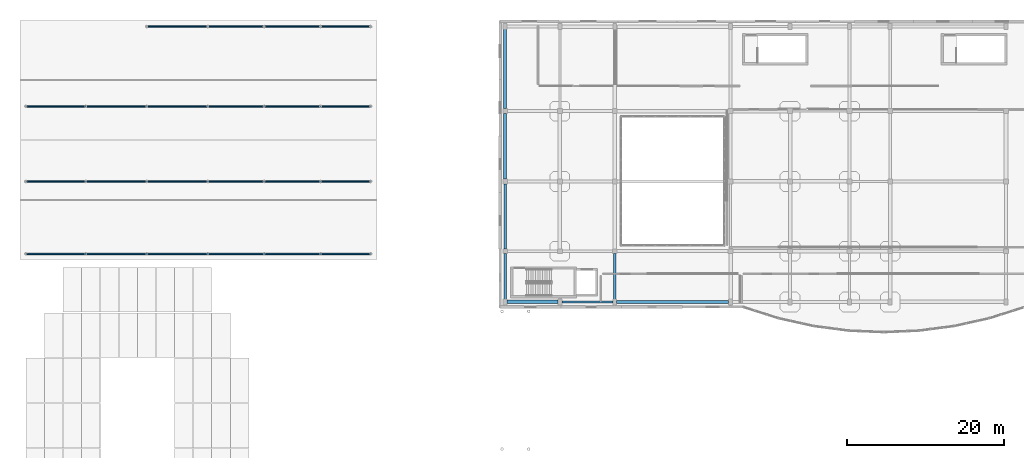
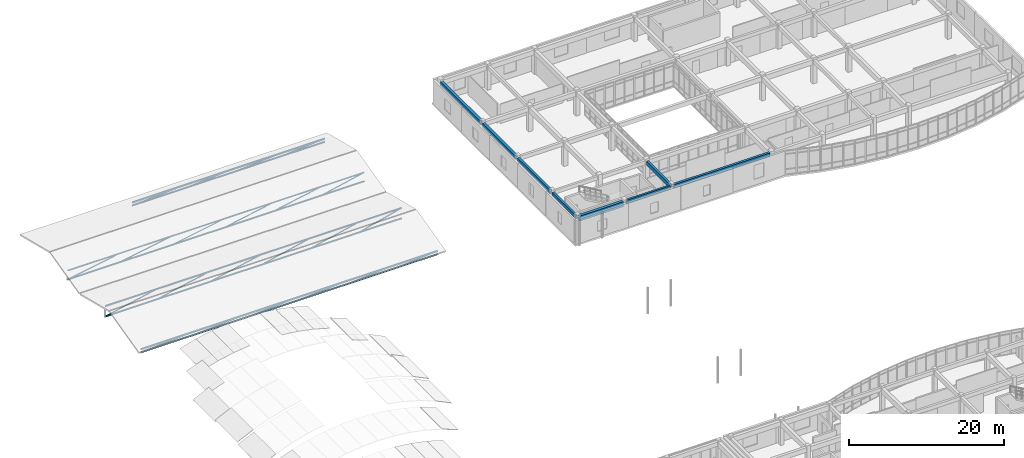
# One storey, part 42 of 91: 66 members, 8 beams.
"""IFC4 building model written with IfcOpenShell, lengths in metres."""

from ifc_helpers import new_model, si_unit, direction, frame, origin, origin_2d, place, context, subcontext, project, spatial, rectangle, hollow_rectangle, hollow_circle, extrude, material, material_profile, profile_set, type_object, element, save


model = new_model("IFC4")

# Units and contexts
model_context = context("Model", 3, precision=1e-05, world=origin(), true_north=direction((0.0, 1.0)))
body_context = subcontext(model_context, "Body", "Model", "MODEL_VIEW")
ifc_project = project(units=[si_unit("LENGTHUNIT", "METRE"), si_unit("AREAUNIT", "SQUARE_METRE"), si_unit("VOLUMEUNIT", "CUBIC_METRE"), si_unit("PLANEANGLEUNIT", "RADIAN"), si_unit("MASSUNIT", "GRAM", prefix="KILO")], contexts=[model_context])

# Site, building, storey
site_placement = place(None, origin())
site = spatial("IfcSite", under=ifc_project, at=site_placement, CompositionType="ELEMENT")
building_placement = place(site_placement, origin())
building = spatial("IfcBuilding", under=site, at=building_placement, Name="Valcora Specialist Clinic", CompositionType="ELEMENT")
storey_placement = place(building_placement, frame((0.0, 0.0, 13.60009765625)))
storey = spatial("IfcBuildingStorey", under=building, at=storey_placement, Name="L03", CompositionType="ELEMENT", Elevation=13.60009765625)

# Beams
ifc_material_1 = material(Name="Concrete C40/50", Category="concrete")
ifc_material_profile_1 = material_profile(ifc_material_1, rectangle(XDim=0.300048828125, YDim=0.550048828125, at=origin_2d()), Name="RC-BM-300X550")
ifc_profile_set_1 = profile_set([ifc_material_profile_1], Name="Concrete C40/50")
beam_type_1 = type_object("IfcBeamType", Name="TY-BM-RC300X550", PredefinedType="BEAM", material=ifc_profile_set_1)
beam_1_placement = place(storey_placement, frame((69.25, 74.800048828125, 3.5), z_axis=(1.0, 0.0, 0.0), x_axis=(0.0, 1.0, 0.0)))
element("IfcBeam", 1, at=beam_1_placement, inside=storey, type_object=beam_type_1, Name="Beam BM-L03-0769", PredefinedType="BEAM", context=body_context, shape_type="SweptSolid", body=[
    extrude(rectangle(XDim=0.300048828125, YDim=0.550048828125, at=origin_2d()), origin(), (0.0, 0.0, 1.0), 6.5),
])
beam_2_placement = place(storey_placement, frame((62.0, 75.050048828125, 3.5), z_axis=(0.0, 1.0, 0.0), x_axis=(-1.0, 0.0, 0.0)))
element("IfcBeam", 2, at=beam_2_placement, inside=storey, type_object=beam_type_1, Name="Beam BM-L03-0803", PredefinedType="BEAM", context=body_context, shape_type="SweptSolid", body=[
    extrude(rectangle(XDim=0.300048828125, YDim=0.550048828125, at=origin_2d()), origin(), (0.0, 0.0, 1.0), 5.949951171875),
])
ifc_material_profile_2 = material_profile(ifc_material_1, rectangle(XDim=0.35009765625, YDim=0.60009765625, at=origin_2d()), Name="RC-BM-350X600")
ifc_profile_set_2 = profile_set([ifc_material_profile_2], Name="Concrete C40/50")
beam_type_2 = type_object("IfcBeamType", Name="TY-BM-RC350X600", PredefinedType="BEAM", material=ifc_profile_set_2)
beam_3_placement = place(storey_placement, frame((76.25, 74.800048828125, 3.474853515625), z_axis=(1.0, 0.0, 0.0), x_axis=(0.0, 1.0, 0.0)))
element("IfcBeam", 3, at=beam_3_placement, inside=storey, type_object=beam_type_2, Name="Beam BM-L03-0770", PredefinedType="BEAM", context=body_context, shape_type="SweptSolid", body=[
    extrude(rectangle(XDim=0.35009765625, YDim=0.60009765625, at=origin_2d()), origin(), (0.0, 0.0, 1.0), 14.300048828125),
])
beam_4_placement = place(storey_placement, frame((62.0, 81.60009765625, 3.474853515625), z_axis=(0.0, 1.0, 0.0), x_axis=(-1.0, 0.0, 0.0)))
element("IfcBeam", 4, at=beam_4_placement, inside=storey, type_object=beam_type_2, Name="Beam BM-L03-0804", PredefinedType="BEAM", context=body_context, shape_type="SweptSolid", body=[
    extrude(rectangle(XDim=0.35009765625, YDim=0.60009765625, at=origin_2d()), origin(), (0.0, 0.0, 1.0), 8.2998046875),
])
beam_5_placement = place(storey_placement, frame((76.0, 75.050048828125, 3.474853515625), z_axis=(0.0, 1.0, 0.0), x_axis=(-1.0, 0.0, 0.0)))
element("IfcBeam", 5, at=beam_5_placement, inside=storey, type_object=beam_type_2, Name="Beam BM-L03-0810", PredefinedType="BEAM", context=body_context, shape_type="SweptSolid", body=[
    extrude(rectangle(XDim=0.35009765625, YDim=0.60009765625, at=origin_2d()), origin(), (0.0, 0.0, 1.0), 5.949951171875),
])
ifc_material_profile_3 = material_profile(ifc_material_1, rectangle(XDim=0.39990234375, YDim=0.64990234375, at=origin_2d()), Name="RC-BM-400X650")
ifc_profile_set_3 = profile_set([ifc_material_profile_3], Name="Concrete C40/50")
beam_type_3 = type_object("IfcBeamType", Name="TY-BM-RC400X650", PredefinedType="BEAM", material=ifc_profile_set_3)
beam_6_placement = place(storey_placement, frame((62.0, 90.5, 3.449951171875), z_axis=(0.0, 1.0, 0.0), x_axis=(-1.0, 0.0, 0.0)))
element("IfcBeam", 6, at=beam_6_placement, inside=storey, type_object=beam_type_3, Name="Beam BM-L03-0805", PredefinedType="BEAM", context=body_context, shape_type="SweptSolid", body=[
    extrude(rectangle(XDim=0.39990234375, YDim=0.64990234375, at=origin_2d()), origin(), (0.0, 0.0, 1.0), 8.39990234375),
])
ifc_material_profile_4 = material_profile(ifc_material_1, rectangle(XDim=0.39990234375, YDim=0.699951171875, at=origin_2d()), Name="RC-BM-400X700")
ifc_profile_set_4 = profile_set([ifc_material_profile_4], Name="Concrete C40/50")
beam_type_4 = type_object("IfcBeamType", Name="TY-BM-RC400X700", PredefinedType="BEAM", material=ifc_profile_set_4)
beam_7_placement = place(storey_placement, frame((62.0, 99.5, 3.4248046875), z_axis=(0.0, 1.0, 0.0), x_axis=(-1.0, 0.0, 0.0)))
element("IfcBeam", 7, at=beam_7_placement, inside=storey, type_object=beam_type_4, Name="Beam BM-L03-0806", PredefinedType="BEAM", context=body_context, shape_type="SweptSolid", body=[
    extrude(rectangle(XDim=0.39990234375, YDim=0.699951171875, at=origin_2d()), origin(), (0.0, 0.0, 1.0), 10.25),
])
ifc_material_profile_5 = material_profile(ifc_material_1, rectangle(XDim=0.449951171875, YDim=0.800048828125, at=origin_2d()), Name="RC-BM-450X800")
ifc_profile_set_5 = profile_set([ifc_material_profile_5], Name="Concrete C40/50")
beam_type_5 = type_object("IfcBeamType", Name="TY-BM-RC450X800", PredefinedType="BEAM", material=ifc_profile_set_5)
beam_8_placement = place(storey_placement, frame((62.25, 74.800048828125, 3.375), z_axis=(1.0, 0.0, 0.0), x_axis=(0.0, 1.0, 0.0)))
element("IfcBeam", 8, at=beam_8_placement, inside=storey, type_object=beam_type_5, Name="Beam BM-L03-0768", PredefinedType="BEAM", context=body_context, shape_type="SweptSolid", body=[
    extrude(rectangle(XDim=0.449951171875, YDim=0.800048828125, at=origin_2d()), origin(), (0.0, 0.0, 1.0), 6.5),
])

# Members
ifc_material_2 = material(Name="Steel ASTM A500 Grade C", Category="steel")
ifc_material_profile_6 = material_profile(ifc_material_2, hollow_circle(Radius=0.1220703125, WallThickness=0.010009765625, at=origin_2d()), Name="ST-CHS-244X10")
ifc_profile_set_6 = profile_set([ifc_material_profile_6], Name="Steel ASTM A500 Grade C")
member_type_1 = type_object("IfcMemberType", Name="TY-MB-GSC244", PredefinedType="CHORD", material=ifc_profile_set_6)
member_1_placement = place(storey_placement, frame((0.75, 80.949951171875, 0.079833984375), z_axis=(1.0, 0.0, 0.0), x_axis=(0.0, 1.0, 0.0)))
element("IfcMember", 9, at=member_1_placement, inside=storey, type_object=member_type_1, Name="Folded roof tie chord MB-L03-0696", PredefinedType="CHORD", context=body_context, shape_type="SweptSolid", body=[
    extrude(hollow_circle(Radius=0.1220703125, WallThickness=0.010009765625, at=origin_2d()), origin(), (0.0, 0.0, 1.0), 7.64990234375),
])
for number, where, z_axis, x_axis, name in (
    (10, (8.39990234375, 80.949951171875, 0.079833984375), (1.0, 0.0, 0.0), (0.0, 1.0, 0.0), "Folded roof tie chord MB-L03-0699"),
    (11, (16.199951171875, 80.949951171875, 0.079833984375), (1.0, 0.0, 0.0), (0.0, 1.0, 0.0), "Folded roof tie chord MB-L03-0702"),
):
    element("IfcMember", number, at=place(storey_placement, frame(where, z_axis=z_axis, x_axis=x_axis)), inside=storey, type_object=member_type_1, Name=name, PredefinedType="CHORD", context=body_context, shape_type="SweptSolid", body=[
        extrude(hollow_circle(Radius=0.1220703125, WallThickness=0.010009765625, at=origin_2d()), origin(), (0.0, 0.0, 1.0), 7.800048828125),
    ])
for number, where, z_axis, x_axis, name in (
    (12, (24.0, 80.949951171875, 0.079833984375), (1.0, 0.0, 0.0), (0.0, 1.0, 0.0), "Folded roof tie chord MB-L03-0705"),
    (13, (31.199951171875, 80.949951171875, 0.079833984375), (1.0, 0.0, 0.0), (0.0, 1.0, 0.0), "Folded roof tie chord MB-L03-0708"),
):
    element("IfcMember", number, at=place(storey_placement, frame(where, z_axis=z_axis, x_axis=x_axis)), inside=storey, type_object=member_type_1, Name=name, PredefinedType="CHORD", context=body_context, shape_type="SweptSolid", body=[
        extrude(hollow_circle(Radius=0.1220703125, WallThickness=0.010009765625, at=origin_2d()), origin(), (0.0, 0.0, 1.0), 7.199951171875),
    ])
member_2_placement = place(storey_placement, frame((38.39990234375, 80.949951171875, 0.079833984375), z_axis=(1.0, 0.0, 0.0), x_axis=(0.0, 1.0, 0.0)))
element("IfcMember", 14, at=member_2_placement, inside=storey, type_object=member_type_1, Name="Folded roof tie chord MB-L03-0711", PredefinedType="CHORD", context=body_context, shape_type="SweptSolid", body=[
    extrude(hollow_circle(Radius=0.1220703125, WallThickness=0.010009765625, at=origin_2d()), origin(), (0.0, 0.0, 1.0), 6.400146484375),
])
member_3_placement = place(storey_placement, frame((0.75, 90.199951171875, 0.079833984375), z_axis=(1.0, 0.0, 0.0), x_axis=(0.0, 1.0, 0.0)))
element("IfcMember", 15, at=member_3_placement, inside=storey, type_object=member_type_1, Name="Folded roof tie chord MB-L03-0714", PredefinedType="CHORD", context=body_context, shape_type="SweptSolid", body=[
    extrude(hollow_circle(Radius=0.1220703125, WallThickness=0.010009765625, at=origin_2d()), origin(), (0.0, 0.0, 1.0), 7.64990234375),
])
for number, where, z_axis, x_axis, name in (
    (16, (8.39990234375, 90.199951171875, 0.079833984375), (1.0, 0.0, 0.0), (0.0, 1.0, 0.0), "Folded roof tie chord MB-L03-0717"),
    (17, (16.199951171875, 90.199951171875, 0.079833984375), (1.0, 0.0, 0.0), (0.0, 1.0, 0.0), "Folded roof tie chord MB-L03-0720"),
):
    element("IfcMember", number, at=place(storey_placement, frame(where, z_axis=z_axis, x_axis=x_axis)), inside=storey, type_object=member_type_1, Name=name, PredefinedType="CHORD", context=body_context, shape_type="SweptSolid", body=[
        extrude(hollow_circle(Radius=0.1220703125, WallThickness=0.010009765625, at=origin_2d()), origin(), (0.0, 0.0, 1.0), 7.800048828125),
    ])
for number, where, z_axis, x_axis, name in (
    (18, (24.0, 90.199951171875, 0.079833984375), (1.0, 0.0, 0.0), (0.0, 1.0, 0.0), "Folded roof tie chord MB-L03-0723"),
    (19, (31.199951171875, 90.199951171875, 0.079833984375), (1.0, 0.0, 0.0), (0.0, 1.0, 0.0), "Folded roof tie chord MB-L03-0726"),
):
    element("IfcMember", number, at=place(storey_placement, frame(where, z_axis=z_axis, x_axis=x_axis)), inside=storey, type_object=member_type_1, Name=name, PredefinedType="CHORD", context=body_context, shape_type="SweptSolid", body=[
        extrude(hollow_circle(Radius=0.1220703125, WallThickness=0.010009765625, at=origin_2d()), origin(), (0.0, 0.0, 1.0), 7.199951171875),
    ])
member_4_placement = place(storey_placement, frame((38.39990234375, 90.199951171875, 0.079833984375), z_axis=(1.0, 0.0, 0.0), x_axis=(0.0, 1.0, 0.0)))
element("IfcMember", 20, at=member_4_placement, inside=storey, type_object=member_type_1, Name="Folded roof tie chord MB-L03-0729", PredefinedType="CHORD", context=body_context, shape_type="SweptSolid", body=[
    extrude(hollow_circle(Radius=0.1220703125, WallThickness=0.010009765625, at=origin_2d()), origin(), (0.0, 0.0, 1.0), 6.400146484375),
])
member_5_placement = place(storey_placement, frame((0.75, 99.800048828125, 0.079833984375), z_axis=(1.0, 0.0, 0.0), x_axis=(0.0, 1.0, 0.0)))
element("IfcMember", 21, at=member_5_placement, inside=storey, type_object=member_type_1, Name="Folded roof tie chord MB-L03-0732", PredefinedType="CHORD", context=body_context, shape_type="SweptSolid", body=[
    extrude(hollow_circle(Radius=0.1220703125, WallThickness=0.010009765625, at=origin_2d()), origin(), (0.0, 0.0, 1.0), 7.64990234375),
])
for number, where, z_axis, x_axis, name in (
    (22, (8.39990234375, 99.800048828125, 0.079833984375), (1.0, 0.0, 0.0), (0.0, 1.0, 0.0), "Folded roof tie chord MB-L03-0735"),
    (23, (16.199951171875, 99.800048828125, 0.079833984375), (1.0, 0.0, 0.0), (0.0, 1.0, 0.0), "Folded roof tie chord MB-L03-0738"),
):
    element("IfcMember", number, at=place(storey_placement, frame(where, z_axis=z_axis, x_axis=x_axis)), inside=storey, type_object=member_type_1, Name=name, PredefinedType="CHORD", context=body_context, shape_type="SweptSolid", body=[
        extrude(hollow_circle(Radius=0.1220703125, WallThickness=0.010009765625, at=origin_2d()), origin(), (0.0, 0.0, 1.0), 7.800048828125),
    ])
for number, where, z_axis, x_axis, name in (
    (24, (24.0, 99.800048828125, 0.079833984375), (1.0, 0.0, 0.0), (0.0, 1.0, 0.0), "Folded roof tie chord MB-L03-0741"),
    (25, (31.199951171875, 99.800048828125, 0.079833984375), (1.0, 0.0, 0.0), (0.0, 1.0, 0.0), "Folded roof tie chord MB-L03-0744"),
):
    element("IfcMember", number, at=place(storey_placement, frame(where, z_axis=z_axis, x_axis=x_axis)), inside=storey, type_object=member_type_1, Name=name, PredefinedType="CHORD", context=body_context, shape_type="SweptSolid", body=[
        extrude(hollow_circle(Radius=0.1220703125, WallThickness=0.010009765625, at=origin_2d()), origin(), (0.0, 0.0, 1.0), 7.199951171875),
    ])
member_6_placement = place(storey_placement, frame((38.39990234375, 99.800048828125, 0.079833984375), z_axis=(1.0, 0.0, 0.0), x_axis=(0.0, 1.0, 0.0)))
element("IfcMember", 26, at=member_6_placement, inside=storey, type_object=member_type_1, Name="Folded roof tie chord MB-L03-0747", PredefinedType="CHORD", context=body_context, shape_type="SweptSolid", body=[
    extrude(hollow_circle(Radius=0.1220703125, WallThickness=0.010009765625, at=origin_2d()), origin(), (0.0, 0.0, 1.0), 6.400146484375),
])
member_7_placement = place(storey_placement, frame((16.199951171875, 110.0, 0.079833984375), z_axis=(1.0, 0.0, 0.0), x_axis=(0.0, 1.0, 0.0)))
element("IfcMember", 27, at=member_7_placement, inside=storey, type_object=member_type_1, Name="Folded roof tie chord MB-L03-0750", PredefinedType="CHORD", context=body_context, shape_type="SweptSolid", body=[
    extrude(hollow_circle(Radius=0.1220703125, WallThickness=0.010009765625, at=origin_2d()), origin(), (0.0, 0.0, 1.0), 7.800048828125),
])
for number, where, z_axis, x_axis, name in (
    (28, (24.0, 110.0, 0.079833984375), (1.0, 0.0, 0.0), (0.0, 1.0, 0.0), "Folded roof tie chord MB-L03-0753"),
    (29, (31.199951171875, 110.0, 0.079833984375), (1.0, 0.0, 0.0), (0.0, 1.0, 0.0), "Folded roof tie chord MB-L03-0756"),
):
    element("IfcMember", number, at=place(storey_placement, frame(where, z_axis=z_axis, x_axis=x_axis)), inside=storey, type_object=member_type_1, Name=name, PredefinedType="CHORD", context=body_context, shape_type="SweptSolid", body=[
        extrude(hollow_circle(Radius=0.1220703125, WallThickness=0.010009765625, at=origin_2d()), origin(), (0.0, 0.0, 1.0), 7.199951171875),
    ])
member_8_placement = place(storey_placement, frame((38.39990234375, 110.0, 0.079833984375), z_axis=(1.0, 0.0, 0.0), x_axis=(0.0, 1.0, 0.0)))
element("IfcMember", 30, at=member_8_placement, inside=storey, type_object=member_type_1, Name="Folded roof tie chord MB-L03-0759", PredefinedType="CHORD", context=body_context, shape_type="SweptSolid", body=[
    extrude(hollow_circle(Radius=0.1220703125, WallThickness=0.010009765625, at=origin_2d()), origin(), (0.0, 0.0, 1.0), 6.400146484375),
])
ifc_material_profile_7 = material_profile(ifc_material_2, hollow_circle(Radius=0.083984375, WallThickness=0.008056640625, at=origin_2d()), Name="ST-CHS-168X8")
ifc_profile_set_7 = profile_set([ifc_material_profile_7], Name="Steel ASTM A500 Grade C")
member_type_2 = type_object("IfcMemberType", Name="TY-MB-GSD168", PredefinedType="BRACE", material=ifc_profile_set_7)
member_9_placement = place(storey_placement, frame((0.75, 80.949951171875, 0.079833984375), z_axis=(0.998037428957, 0.0, 0.062620207612), x_axis=(0.0, 1.0, 0.0)))
element("IfcMember", 31, at=member_9_placement, inside=storey, type_object=member_type_2, Name="Folded roof truss web MB-L03-0697", PredefinedType="BRACE", context=body_context, shape_type="SweptSolid", body=[
    extrude(hollow_circle(Radius=0.083984375, WallThickness=0.008056640625, at=origin_2d()), origin(), (0.0, 0.0, 1.0), 7.6650390625),
])
for number, where, z_axis, x_axis, name in (
    (32, (8.39990234375, 80.949951171875, 0.079833984375), (0.998112046712, 0.0, 0.061419396032), (0.0, 1.0, 0.0), "Folded roof truss web MB-L03-0700"),
    (33, (16.199951171875, 80.949951171875, 0.079833984375), (0.998112046712, 0.0, 0.061419396032), (0.0, 1.0, 0.0), "Folded roof truss web MB-L03-0703"),
):
    element("IfcMember", number, at=place(storey_placement, frame(where, z_axis=z_axis, x_axis=x_axis)), inside=storey, type_object=member_type_2, Name=name, PredefinedType="BRACE", context=body_context, shape_type="SweptSolid", body=[
        extrude(hollow_circle(Radius=0.083984375, WallThickness=0.008056640625, at=origin_2d()), origin(), (0.0, 0.0, 1.0), 7.814697265625),
    ])
for number, where, z_axis, x_axis, name in (
    (34, (24.0, 80.949951171875, 0.079833984375), (0.99778530756, 0.0, 0.066516764934), (0.0, 1.0, 0.0), "Folded roof truss web MB-L03-0706"),
    (35, (31.199951171875, 80.949951171875, 0.079833984375), (0.99778530756, 0.0, 0.066516764934), (0.0, 1.0, 0.0), "Folded roof truss web MB-L03-0709"),
):
    element("IfcMember", number, at=place(storey_placement, frame(where, z_axis=z_axis, x_axis=x_axis)), inside=storey, type_object=member_type_2, Name=name, PredefinedType="BRACE", context=body_context, shape_type="SweptSolid", body=[
        extrude(hollow_circle(Radius=0.083984375, WallThickness=0.008056640625, at=origin_2d()), origin(), (0.0, 0.0, 1.0), 7.2158203125),
    ])
member_10_placement = place(storey_placement, frame((38.39990234375, 80.949951171875, 0.079833984375), z_axis=(0.997199664501, 0.0, 0.074785219928), x_axis=(0.0, 1.0, 0.0)))
element("IfcMember", 36, at=member_10_placement, inside=storey, type_object=member_type_2, Name="Folded roof truss web MB-L03-0712", PredefinedType="BRACE", context=body_context, shape_type="SweptSolid", body=[
    extrude(hollow_circle(Radius=0.083984375, WallThickness=0.008056640625, at=origin_2d()), origin(), (0.0, 0.0, 1.0), 6.418212890625),
])
member_11_placement = place(storey_placement, frame((0.75, 90.199951171875, 0.079833984375), z_axis=(0.978123770858, 0.0, 0.208023769994), x_axis=(0.0, 1.0, 0.0)))
element("IfcMember", 37, at=member_11_placement, inside=storey, type_object=member_type_2, Name="Folded roof truss web MB-L03-0715", PredefinedType="BRACE", context=body_context, shape_type="SweptSolid", body=[
    extrude(hollow_circle(Radius=0.083984375, WallThickness=0.008056640625, at=origin_2d()), origin(), (0.0, 0.0, 1.0), 7.821044921875),
])
for number, where, z_axis, x_axis, name in (
    (38, (8.39990234375, 90.199951171875, 0.079833984375), (0.978931703608, 0.0, 0.204187951825), (0.0, 1.0, 0.0), "Folded roof truss web MB-L03-0718"),
    (39, (16.199951171875, 90.199951171875, 0.079833984375), (0.978931703608, 0.0, 0.204187951825), (0.0, 1.0, 0.0), "Folded roof truss web MB-L03-0721"),
):
    element("IfcMember", number, at=place(storey_placement, frame(where, z_axis=z_axis, x_axis=x_axis)), inside=storey, type_object=member_type_2, Name=name, PredefinedType="BRACE", context=body_context, shape_type="SweptSolid", body=[
        extrude(hollow_circle(Radius=0.083984375, WallThickness=0.008056640625, at=origin_2d()), origin(), (0.0, 0.0, 1.0), 7.968017578125),
    ])
for number, where, z_axis, x_axis, name in (
    (40, (24.0, 90.199951171875, 0.079833984375), (0.97540729371, 0.0, 0.220410098175), (0.0, 1.0, 0.0), "Folded roof truss web MB-L03-0724"),
    (41, (31.199951171875, 90.199951171875, 0.079833984375), (0.97540729371, 0.0, 0.220410098175), (0.0, 1.0, 0.0), "Folded roof truss web MB-L03-0727"),
):
    element("IfcMember", number, at=place(storey_placement, frame(where, z_axis=z_axis, x_axis=x_axis)), inside=storey, type_object=member_type_2, Name=name, PredefinedType="BRACE", context=body_context, shape_type="SweptSolid", body=[
        extrude(hollow_circle(Radius=0.083984375, WallThickness=0.008056640625, at=origin_2d()), origin(), (0.0, 0.0, 1.0), 7.381591796875),
    ])
member_12_placement = place(storey_placement, frame((38.39990234375, 90.199951171875, 0.079833984375), z_axis=(0.96917586287, 0.0, 0.246369938973), x_axis=(0.0, 1.0, 0.0)))
element("IfcMember", 42, at=member_12_placement, inside=storey, type_object=member_type_2, Name="Folded roof truss web MB-L03-0730", PredefinedType="BRACE", context=body_context, shape_type="SweptSolid", body=[
    extrude(hollow_circle(Radius=0.083984375, WallThickness=0.008056640625, at=origin_2d()), origin(), (0.0, 0.0, 1.0), 6.603759765625),
])
member_13_placement = place(storey_placement, frame((0.75, 99.800048828125, 0.079833984375), z_axis=(0.983743077559, 0.0, 0.179581617529), x_axis=(0.0, 1.0, 0.0)))
element("IfcMember", 43, at=member_13_placement, inside=storey, type_object=member_type_2, Name="Folded roof truss web MB-L03-0733", PredefinedType="BRACE", context=body_context, shape_type="SweptSolid", body=[
    extrude(hollow_circle(Radius=0.083984375, WallThickness=0.008056640625, at=origin_2d()), origin(), (0.0, 0.0, 1.0), 7.7763671875),
])
for number, where, z_axis, x_axis, name in (
    (44, (8.39990234375, 99.800048828125, 0.079833984375), (0.984348451646, 0.0, 0.176233157326), (0.0, 1.0, 0.0), "Folded roof truss web MB-L03-0736"),
    (45, (16.199951171875, 99.800048828125, 0.079833984375), (0.984348451646, 0.0, 0.176233157326), (0.0, 1.0, 0.0), "Folded roof truss web MB-L03-0739"),
):
    element("IfcMember", number, at=place(storey_placement, frame(where, z_axis=z_axis, x_axis=x_axis)), inside=storey, type_object=member_type_2, Name=name, PredefinedType="BRACE", context=body_context, shape_type="SweptSolid", body=[
        extrude(hollow_circle(Radius=0.083984375, WallThickness=0.008056640625, at=origin_2d()), origin(), (0.0, 0.0, 1.0), 7.924072265625),
    ])
for number, where, z_axis, x_axis, name in (
    (46, (24.0, 99.800048828125, 0.079833984375), (0.981704850589, 0.0, 0.190408997503), (0.0, 1.0, 0.0), "Folded roof truss web MB-L03-0742"),
    (47, (31.199951171875, 99.800048828125, 0.079833984375), (0.981704850589, 0.0, 0.190408997503), (0.0, 1.0, 0.0), "Folded roof truss web MB-L03-0745"),
):
    element("IfcMember", number, at=place(storey_placement, frame(where, z_axis=z_axis, x_axis=x_axis)), inside=storey, type_object=member_type_2, Name=name, PredefinedType="BRACE", context=body_context, shape_type="SweptSolid", body=[
        extrude(hollow_circle(Radius=0.083984375, WallThickness=0.008056640625, at=origin_2d()), origin(), (0.0, 0.0, 1.0), 7.334228515625),
    ])
member_14_placement = place(storey_placement, frame((38.39990234375, 99.800048828125, 0.079833984375), z_axis=(0.977012938789, 0.0, 0.21318001182), x_axis=(0.0, 1.0, 0.0)))
element("IfcMember", 48, at=member_14_placement, inside=storey, type_object=member_type_2, Name="Folded roof truss web MB-L03-0748", PredefinedType="BRACE", context=body_context, shape_type="SweptSolid", body=[
    extrude(hollow_circle(Radius=0.083984375, WallThickness=0.008056640625, at=origin_2d()), origin(), (0.0, 0.0, 1.0), 6.55078125),
])
member_15_placement = place(storey_placement, frame((16.199951171875, 110.0, 0.079833984375), z_axis=(0.998011156234, 0.0, 0.063037544627), x_axis=(0.0, 1.0, 0.0)))
element("IfcMember", 49, at=member_15_placement, inside=storey, type_object=member_type_2, Name="Folded roof truss web MB-L03-0751", PredefinedType="BRACE", context=body_context, shape_type="SweptSolid", body=[
    extrude(hollow_circle(Radius=0.083984375, WallThickness=0.008056640625, at=origin_2d()), origin(), (0.0, 0.0, 1.0), 7.815673828125),
])
for number, where, z_axis, x_axis, name in (
    (50, (24.0, 110.0, 0.079833984375), (0.997667017635, 0.0, 0.068268015381), (0.0, 1.0, 0.0), "Folded roof truss web MB-L03-0754"),
    (51, (31.199951171875, 110.0, 0.079833984375), (0.997667017635, 0.0, 0.068268015381), (0.0, 1.0, 0.0), "Folded roof truss web MB-L03-0757"),
):
    element("IfcMember", number, at=place(storey_placement, frame(where, z_axis=z_axis, x_axis=x_axis)), inside=storey, type_object=member_type_2, Name=name, PredefinedType="BRACE", context=body_context, shape_type="SweptSolid", body=[
        extrude(hollow_circle(Radius=0.083984375, WallThickness=0.008056640625, at=origin_2d()), origin(), (0.0, 0.0, 1.0), 7.216796875),
    ])
member_16_placement = place(storey_placement, frame((38.39990234375, 110.0, 0.079833984375), z_axis=(0.997050233159, 0.0, 0.076751759318), x_axis=(0.0, 1.0, 0.0)))
element("IfcMember", 52, at=member_16_placement, inside=storey, type_object=member_type_2, Name="Folded roof truss web MB-L03-0760", PredefinedType="BRACE", context=body_context, shape_type="SweptSolid", body=[
    extrude(hollow_circle(Radius=0.083984375, WallThickness=0.008056640625, at=origin_2d()), origin(), (0.0, 0.0, 1.0), 6.419189453125),
])
ifc_material_profile_8 = material_profile(ifc_material_2, hollow_rectangle(XDim=0.14990234375, YDim=0.14990234375, WallThickness=0.006103515625, at=origin_2d()), Name="ST-RHS-150X150X6")
ifc_profile_set_8 = profile_set([ifc_material_profile_8], Name="Steel ASTM A500 Grade C")
member_type_3 = type_object("IfcMemberType", Name="TY-MB-PR150", PredefinedType="PURLIN", material=ifc_profile_set_8)
member_17_placement = place(storey_placement, frame((0.75, 99.800048828125, 1.476318359375), z_axis=(1.0, 0.0, 0.0), x_axis=(0.0, 1.0, 0.0)))
element("IfcMember", 53, at=member_17_placement, inside=storey, type_object=member_type_3, Name="Folded roof purlin MB-L03-0731", PredefinedType="PURLIN", context=body_context, shape_type="SweptSolid", body=[
    extrude(hollow_rectangle(XDim=0.14990234375, YDim=0.14990234375, WallThickness=0.006103515625, at=origin_2d()), origin(), (0.0, 0.0, 1.0), 7.64990234375),
])
for number, where, z_axis, x_axis, name in (
    (54, (8.39990234375, 99.800048828125, 1.476318359375), (1.0, 0.0, 0.0), (0.0, 1.0, 0.0), "Folded roof purlin MB-L03-0734"),
    (55, (16.199951171875, 99.800048828125, 1.476318359375), (1.0, 0.0, 0.0), (0.0, 1.0, 0.0), "Folded roof purlin MB-L03-0737"),
):
    element("IfcMember", number, at=place(storey_placement, frame(where, z_axis=z_axis, x_axis=x_axis)), inside=storey, type_object=member_type_3, Name=name, PredefinedType="PURLIN", context=body_context, shape_type="SweptSolid", body=[
        extrude(hollow_rectangle(XDim=0.14990234375, YDim=0.14990234375, WallThickness=0.006103515625, at=origin_2d()), origin(), (0.0, 0.0, 1.0), 7.800048828125),
    ])
for number, where, z_axis, x_axis, name in (
    (56, (24.0, 99.800048828125, 1.476318359375), (1.0, 0.0, 0.0), (0.0, 1.0, 0.0), "Folded roof purlin MB-L03-0740"),
    (57, (31.199951171875, 99.800048828125, 1.476318359375), (1.0, 0.0, 0.0), (0.0, 1.0, 0.0), "Folded roof purlin MB-L03-0743"),
):
    element("IfcMember", number, at=place(storey_placement, frame(where, z_axis=z_axis, x_axis=x_axis)), inside=storey, type_object=member_type_3, Name=name, PredefinedType="PURLIN", context=body_context, shape_type="SweptSolid", body=[
        extrude(hollow_rectangle(XDim=0.14990234375, YDim=0.14990234375, WallThickness=0.006103515625, at=origin_2d()), origin(), (0.0, 0.0, 1.0), 7.199951171875),
    ])
member_18_placement = place(storey_placement, frame((38.39990234375, 99.800048828125, 1.476318359375), z_axis=(1.0, 0.0, 0.0), x_axis=(0.0, 1.0, 0.0)))
element("IfcMember", 58, at=member_18_placement, inside=storey, type_object=member_type_3, Name="Folded roof purlin MB-L03-0746", PredefinedType="PURLIN", context=body_context, shape_type="SweptSolid", body=[
    extrude(hollow_rectangle(XDim=0.14990234375, YDim=0.14990234375, WallThickness=0.006103515625, at=origin_2d()), origin(), (0.0, 0.0, 1.0), 6.400146484375),
])
ifc_material_profile_9 = material_profile(ifc_material_2, hollow_rectangle(XDim=0.179931640625, YDim=0.179931640625, WallThickness=0.008056640625, at=origin_2d()), Name="ST-RHS-180X180X8")
ifc_profile_set_9 = profile_set([ifc_material_profile_9], Name="Steel ASTM A500 Grade C")
member_type_4 = type_object("IfcMemberType", Name="TY-MB-PR180", PredefinedType="PURLIN", material=ifc_profile_set_9)
member_19_placement = place(storey_placement, frame((0.75, 90.199951171875, 1.706787109375), z_axis=(1.0, 0.0, 0.0), x_axis=(0.0, 1.0, 0.0)))
element("IfcMember", 59, at=member_19_placement, inside=storey, type_object=member_type_4, Name="Folded roof purlin MB-L03-0713", PredefinedType="PURLIN", context=body_context, shape_type="SweptSolid", body=[
    extrude(hollow_rectangle(XDim=0.179931640625, YDim=0.179931640625, WallThickness=0.008056640625, at=origin_2d()), origin(), (0.0, 0.0, 1.0), 7.64990234375),
])
for number, where, z_axis, x_axis, name in (
    (60, (8.39990234375, 90.199951171875, 1.706787109375), (1.0, 0.0, 0.0), (0.0, 1.0, 0.0), "Folded roof purlin MB-L03-0716"),
    (61, (16.199951171875, 90.199951171875, 1.706787109375), (1.0, 0.0, 0.0), (0.0, 1.0, 0.0), "Folded roof purlin MB-L03-0719"),
):
    element("IfcMember", number, at=place(storey_placement, frame(where, z_axis=z_axis, x_axis=x_axis)), inside=storey, type_object=member_type_4, Name=name, PredefinedType="PURLIN", context=body_context, shape_type="SweptSolid", body=[
        extrude(hollow_rectangle(XDim=0.179931640625, YDim=0.179931640625, WallThickness=0.008056640625, at=origin_2d()), origin(), (0.0, 0.0, 1.0), 7.800048828125),
    ])
for number, where, z_axis, x_axis, name in (
    (62, (24.0, 90.199951171875, 1.706787109375), (1.0, 0.0, 0.0), (0.0, 1.0, 0.0), "Folded roof purlin MB-L03-0722"),
    (63, (31.199951171875, 90.199951171875, 1.706787109375), (1.0, 0.0, 0.0), (0.0, 1.0, 0.0), "Folded roof purlin MB-L03-0725"),
):
    element("IfcMember", number, at=place(storey_placement, frame(where, z_axis=z_axis, x_axis=x_axis)), inside=storey, type_object=member_type_4, Name=name, PredefinedType="PURLIN", context=body_context, shape_type="SweptSolid", body=[
        extrude(hollow_rectangle(XDim=0.179931640625, YDim=0.179931640625, WallThickness=0.008056640625, at=origin_2d()), origin(), (0.0, 0.0, 1.0), 7.199951171875),
    ])
member_20_placement = place(storey_placement, frame((38.39990234375, 90.199951171875, 1.706787109375), z_axis=(1.0, 0.0, 0.0), x_axis=(0.0, 1.0, 0.0)))
element("IfcMember", 64, at=member_20_placement, inside=storey, type_object=member_type_4, Name="Folded roof purlin MB-L03-0728", PredefinedType="PURLIN", context=body_context, shape_type="SweptSolid", body=[
    extrude(hollow_rectangle(XDim=0.179931640625, YDim=0.179931640625, WallThickness=0.008056640625, at=origin_2d()), origin(), (0.0, 0.0, 1.0), 6.400146484375),
])
ifc_material_profile_10 = material_profile(ifc_material_2, hollow_rectangle(XDim=0.199951171875, YDim=0.199951171875, WallThickness=0.008056640625, at=origin_2d()), Name="ST-RHS-200X200X8")
ifc_profile_set_10 = profile_set([ifc_material_profile_10], Name="Steel ASTM A500 Grade C")
member_type_5 = type_object("IfcMemberType", Name="TY-MB-PR200", PredefinedType="PURLIN", material=ifc_profile_set_10)
member_21_placement = place(storey_placement, frame((0.75, 80.949951171875, 0.559814453125), z_axis=(1.0, 0.0, 0.0), x_axis=(0.0, 1.0, 0.0)))
element("IfcMember", 65, at=member_21_placement, inside=storey, type_object=member_type_5, Name="Folded roof purlin MB-L03-0695", PredefinedType="PURLIN", context=body_context, shape_type="SweptSolid", body=[
    extrude(hollow_rectangle(XDim=0.199951171875, YDim=0.199951171875, WallThickness=0.008056640625, at=origin_2d()), origin(), (0.0, 0.0, 1.0), 7.64990234375),
])
for number, where, z_axis, x_axis, name in (
    (66, (8.39990234375, 80.949951171875, 0.559814453125), (1.0, 0.0, 0.0), (0.0, 1.0, 0.0), "Folded roof purlin MB-L03-0698"),
    (67, (16.199951171875, 80.949951171875, 0.559814453125), (1.0, 0.0, 0.0), (0.0, 1.0, 0.0), "Folded roof purlin MB-L03-0701"),
):
    element("IfcMember", number, at=place(storey_placement, frame(where, z_axis=z_axis, x_axis=x_axis)), inside=storey, type_object=member_type_5, Name=name, PredefinedType="PURLIN", context=body_context, shape_type="SweptSolid", body=[
        extrude(hollow_rectangle(XDim=0.199951171875, YDim=0.199951171875, WallThickness=0.008056640625, at=origin_2d()), origin(), (0.0, 0.0, 1.0), 7.800048828125),
    ])
for number, where, z_axis, x_axis, name in (
    (68, (24.0, 80.949951171875, 0.559814453125), (1.0, 0.0, 0.0), (0.0, 1.0, 0.0), "Folded roof purlin MB-L03-0704"),
    (69, (31.199951171875, 80.949951171875, 0.559814453125), (1.0, 0.0, 0.0), (0.0, 1.0, 0.0), "Folded roof purlin MB-L03-0707"),
):
    element("IfcMember", number, at=place(storey_placement, frame(where, z_axis=z_axis, x_axis=x_axis)), inside=storey, type_object=member_type_5, Name=name, PredefinedType="PURLIN", context=body_context, shape_type="SweptSolid", body=[
        extrude(hollow_rectangle(XDim=0.199951171875, YDim=0.199951171875, WallThickness=0.008056640625, at=origin_2d()), origin(), (0.0, 0.0, 1.0), 7.199951171875),
    ])
member_22_placement = place(storey_placement, frame((38.39990234375, 80.949951171875, 0.559814453125), z_axis=(1.0, 0.0, 0.0), x_axis=(0.0, 1.0, 0.0)))
element("IfcMember", 70, at=member_22_placement, inside=storey, type_object=member_type_5, Name="Folded roof purlin MB-L03-0710", PredefinedType="PURLIN", context=body_context, shape_type="SweptSolid", body=[
    extrude(hollow_rectangle(XDim=0.199951171875, YDim=0.199951171875, WallThickness=0.008056640625, at=origin_2d()), origin(), (0.0, 0.0, 1.0), 6.400146484375),
])
member_23_placement = place(storey_placement, frame((16.199951171875, 110.0, 0.572509765625), z_axis=(1.0, 0.0, 0.0), x_axis=(0.0, 1.0, 0.0)))
element("IfcMember", 71, at=member_23_placement, inside=storey, type_object=member_type_5, Name="Folded roof purlin MB-L03-0749", PredefinedType="PURLIN", context=body_context, shape_type="SweptSolid", body=[
    extrude(hollow_rectangle(XDim=0.199951171875, YDim=0.199951171875, WallThickness=0.008056640625, at=origin_2d()), origin(), (0.0, 0.0, 1.0), 7.800048828125),
])
for number, where, z_axis, x_axis, name in (
    (72, (24.0, 110.0, 0.572509765625), (1.0, 0.0, 0.0), (0.0, 1.0, 0.0), "Folded roof purlin MB-L03-0752"),
    (73, (31.199951171875, 110.0, 0.572509765625), (1.0, 0.0, 0.0), (0.0, 1.0, 0.0), "Folded roof purlin MB-L03-0755"),
):
    element("IfcMember", number, at=place(storey_placement, frame(where, z_axis=z_axis, x_axis=x_axis)), inside=storey, type_object=member_type_5, Name=name, PredefinedType="PURLIN", context=body_context, shape_type="SweptSolid", body=[
        extrude(hollow_rectangle(XDim=0.199951171875, YDim=0.199951171875, WallThickness=0.008056640625, at=origin_2d()), origin(), (0.0, 0.0, 1.0), 7.199951171875),
    ])
member_24_placement = place(storey_placement, frame((38.39990234375, 110.0, 0.572509765625), z_axis=(1.0, 0.0, 0.0), x_axis=(0.0, 1.0, 0.0)))
element("IfcMember", 74, at=member_24_placement, inside=storey, type_object=member_type_5, Name="Folded roof purlin MB-L03-0758", PredefinedType="PURLIN", context=body_context, shape_type="SweptSolid", body=[
    extrude(hollow_rectangle(XDim=0.199951171875, YDim=0.199951171875, WallThickness=0.008056640625, at=origin_2d()), origin(), (0.0, 0.0, 1.0), 6.400146484375),
])

save(model, "model.ifc")
